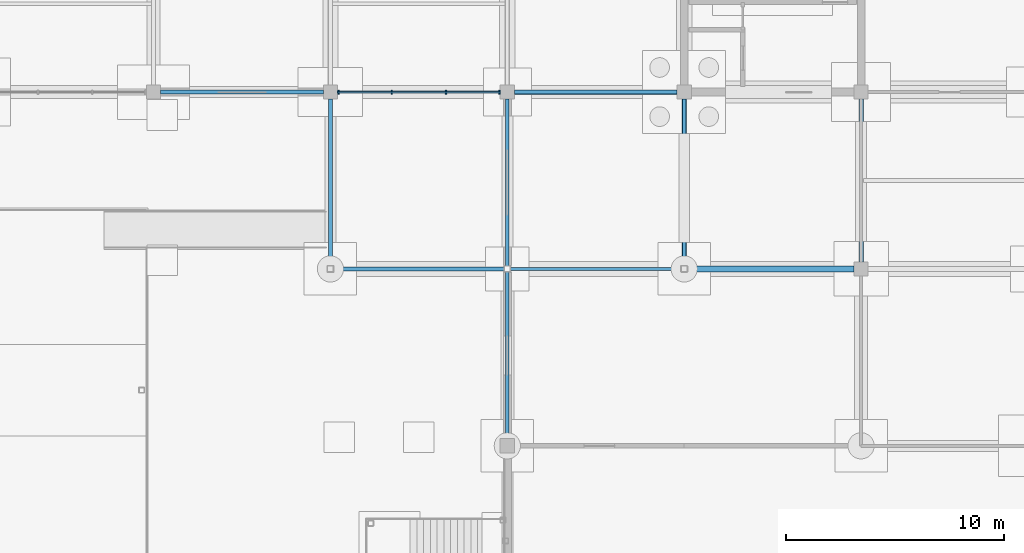
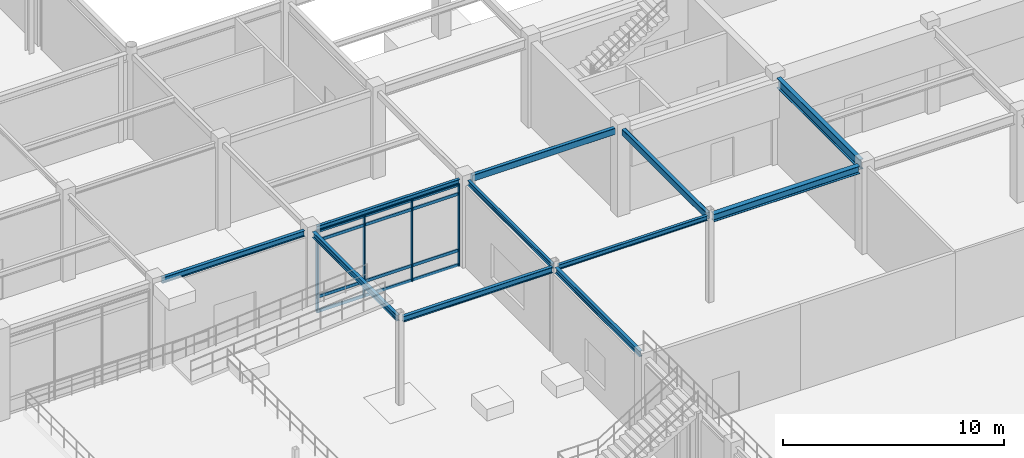
# One storey, part 36 of 67: 11 beams, 8 members, 1 element without a shape of its own.
"""IFC4 building model written with IfcOpenShell, lengths in metres."""

from ifc_helpers import new_model, si_unit, direction, frame, origin, origin_2d, place, context, subcontext, project, spatial, rectangle, hollow_rectangle, i_section, extrude, material, layer, layer_set, material_profile, profile_set, type_object, element, aggregate, save


model = new_model("IFC4")

# Units and contexts
model_context = context("Model", 3, precision=1e-05, world=origin(), true_north=direction((0.0, 1.0)))
body_context = subcontext(model_context, "Body", "Model", "MODEL_VIEW")
ifc_project = project(units=[si_unit("LENGTHUNIT", "METRE"), si_unit("AREAUNIT", "SQUARE_METRE"), si_unit("VOLUMEUNIT", "CUBIC_METRE"), si_unit("PLANEANGLEUNIT", "RADIAN"), si_unit("MASSUNIT", "GRAM", prefix="KILO")], contexts=[model_context])

# Site, building, storey
site_placement = place(None, origin())
site = spatial("IfcSite", under=ifc_project, at=site_placement, CompositionType="ELEMENT")
building_placement = place(site_placement, origin())
building = spatial("IfcBuilding", under=site, at=building_placement, Name="Vaudrelin Polytechnic", CompositionType="ELEMENT")
storey_placement = place(building_placement, frame((0.0, 0.0, -5.10009765625)))
storey = spatial("IfcBuildingStorey", under=building, at=storey_placement, Name="B1", CompositionType="ELEMENT", Elevation=-5.10009765625)

# Beams
ifc_material_1 = material(Name="Steel CSA G40.21 350WT", Category="steel")
ifc_material_profile_1 = material_profile(ifc_material_1, i_section(OverallWidth=0.260009765625, OverallDepth=0.4150390625, WebThickness=0.010009765625, FlangeThickness=0.016845703125, FilletRadius=0.01611328125, at=origin_2d()), Name="W410x100")
ifc_profile_set_1 = profile_set([ifc_material_profile_1], Name="Steel CSA G40.21 350WT")
beam_type_1 = type_object("IfcBeamType", Name="BM-BM-W410H", PredefinedType="SPANDREL", material=ifc_profile_set_1)
beam_1_placement = place(storey_placement, frame((48.74853515625, 24.300048828125, 4.572509765625), z_axis=(1.0, 0.0, 0.0), x_axis=(0.0, 1.0, 0.0)))
element("IfcBeam", 1, at=beam_1_placement, inside=storey, type_object=beam_type_1, Name="B1 X-beam 7-4", PredefinedType="SPANDREL", context=body_context, shape_type="SweptSolid", body=[
    extrude(i_section(OverallWidth=0.260009765625, OverallDepth=0.4150390625, WebThickness=0.010009765625, FlangeThickness=0.016845703125, FilletRadius=0.01611328125, at=origin_2d()), origin(), (0.0, 0.0, 1.0), 7.63037109375),
])
ifc_material_2 = material(Name="Steel CSA G40.21 350W", Category="steel")
ifc_material_profile_2 = material_profile(ifc_material_2, i_section(OverallWidth=0.214111328125, OverallDepth=0.549072265625, WebThickness=0.0146484375, FlangeThickness=0.023681640625, FilletRadius=0.01904296875, at=origin_2d()), Name="W530x138")
ifc_profile_set_2 = profile_set([ifc_material_profile_2], Name="Steel CSA G40.21 350W")
beam_type_2 = type_object("IfcBeamType", Name="BM-BM-W530H", PredefinedType="BEAM", material=ifc_profile_set_2)
beam_2_placement = place(storey_placement, frame((56.699951171875, 24.610107421875, 4.505615234375), z_axis=(0.0, 1.0, 0.0), x_axis=(-1.0, 0.0, 0.0)))
element("IfcBeam", 2, at=beam_2_placement, inside=storey, type_object=beam_type_2, Name="B1 Y-beam 8-4", PredefinedType="BEAM", context=body_context, shape_type="SweptSolid", body=[
    extrude(i_section(OverallWidth=0.214111328125, OverallDepth=0.549072265625, WebThickness=0.0146484375, FlangeThickness=0.023681640625, FilletRadius=0.01904296875, at=origin_2d()), origin(), (0.0, 0.0, 1.0), 7.47998046875),
])
ifc_material_profile_3 = material_profile(ifc_material_2, i_section(OverallWidth=0.14794921875, OverallDepth=0.26611328125, WebThickness=0.007568359375, FlangeThickness=0.012939453125, FilletRadius=0.012939453125, at=origin_2d()), Name="W250x45")
ifc_profile_set_3 = profile_set([ifc_material_profile_3], Name="Steel CSA G40.21 350W")
beam_type_3 = type_object("IfcBeamType", Name="BM-JS-W250", PredefinedType="JOIST", material=ifc_profile_set_3)
beam_3_placement = place(storey_placement, frame((40.5, 24.4375, 4.647216796875), z_axis=(0.0, 1.0, 0.0), x_axis=(-1.0, 0.0, 0.0)))
element("IfcBeam", 3, at=beam_3_placement, inside=storey, type_object=beam_type_3, Name="B1 Y-beam 6-4", PredefinedType="JOIST", context=body_context, shape_type="SweptSolid", body=[
    extrude(i_section(OverallWidth=0.14794921875, OverallDepth=0.26611328125, WebThickness=0.007568359375, FlangeThickness=0.012939453125, FilletRadius=0.012939453125, at=origin_2d()), origin(), (0.0, 0.0, 1.0), 7.652587890625),
])
beam_4_placement = place(storey_placement, frame((32.720947265625, 32.39990234375, 4.647216796875), z_axis=(1.0, 0.0, 0.0), x_axis=(0.0, 1.0, 0.0)))
element("IfcBeam", 4, at=beam_4_placement, inside=storey, type_object=beam_type_3, Name="B1 X-beam 5-5", PredefinedType="JOIST", context=body_context, shape_type="SweptSolid", body=[
    extrude(i_section(OverallWidth=0.14794921875, OverallDepth=0.26611328125, WebThickness=0.007568359375, FlangeThickness=0.012939453125, FilletRadius=0.012939453125, at=origin_2d()), origin(), (0.0, 0.0, 1.0), 7.4580078125),
])
beam_5_placement = place(storey_placement, frame((40.6484375, 24.300048828125, 4.647216796875), z_axis=(1.0, 0.0, 0.0), x_axis=(0.0, 1.0, 0.0)))
element("IfcBeam", 5, at=beam_5_placement, inside=storey, type_object=beam_type_3, Name="B1 X-beam 6-4", PredefinedType="JOIST", context=body_context, shape_type="SweptSolid", body=[
    extrude(i_section(OverallWidth=0.14794921875, OverallDepth=0.26611328125, WebThickness=0.007568359375, FlangeThickness=0.012939453125, FilletRadius=0.012939453125, at=origin_2d()), origin(), (0.0, 0.0, 1.0), 7.802978515625),
])
ifc_material_profile_4 = material_profile(ifc_material_2, i_section(OverallWidth=0.1669921875, OverallDepth=0.31689453125, WebThickness=0.007568359375, FlangeThickness=0.01318359375, FilletRadius=0.013916015625, at=origin_2d()), Name="W310x52")
ifc_profile_set_4 = profile_set([ifc_material_profile_4], Name="Steel CSA G40.21 350W")
beam_type_4 = type_object("IfcBeamType", Name="BM-JS-W310", PredefinedType="JOIST", material=ifc_profile_set_4)
for number, where, z_axis, x_axis, name in (
    (6, (32.39990234375, 24.4375, 4.62158203125), (0.0, 1.0, 0.0), (-1.0, 0.0, 0.0), "B1 Y-beam 5-4"),
    (7, (40.5, 16.510009765625, 4.62158203125), (0.0, 1.0, 0.0), (-1.0, 0.0, 0.0), "B1 Y-beam 6-3"),
):
    element("IfcBeam", number, at=place(storey_placement, frame(where, z_axis=z_axis, x_axis=x_axis)), inside=storey, type_object=beam_type_4, Name=name, PredefinedType="JOIST", context=body_context, shape_type="SweptSolid", body=[
        extrude(i_section(OverallWidth=0.1669921875, OverallDepth=0.31689453125, WebThickness=0.007568359375, FlangeThickness=0.01318359375, FilletRadius=0.013916015625, at=origin_2d()), origin(), (0.0, 0.0, 1.0), 7.652587890625),
    ])
beam_6_placement = place(storey_placement, frame((24.62109375, 32.39990234375, 4.62158203125), z_axis=(1.0, 0.0, 0.0), x_axis=(0.0, 1.0, 0.0)))
element("IfcBeam", 8, at=beam_6_placement, inside=storey, type_object=beam_type_4, Name="B1 X-beam 4-5", PredefinedType="JOIST", context=body_context, shape_type="SweptSolid", body=[
    extrude(i_section(OverallWidth=0.1669921875, OverallDepth=0.31689453125, WebThickness=0.007568359375, FlangeThickness=0.01318359375, FilletRadius=0.013916015625, at=origin_2d()), origin(), (0.0, 0.0, 1.0), 7.4580078125),
])
beam_7_placement = place(storey_placement, frame((32.548583984375, 24.300048828125, 4.62158203125), z_axis=(1.0, 0.0, 0.0), x_axis=(0.0, 1.0, 0.0)))
element("IfcBeam", 9, at=beam_7_placement, inside=storey, type_object=beam_type_4, Name="B1 X-beam 5-4", PredefinedType="JOIST", context=body_context, shape_type="SweptSolid", body=[
    extrude(i_section(OverallWidth=0.1669921875, OverallDepth=0.31689453125, WebThickness=0.007568359375, FlangeThickness=0.01318359375, FilletRadius=0.013916015625, at=origin_2d()), origin(), (0.0, 0.0, 1.0), 7.802978515625),
])
ifc_material_profile_5 = material_profile(ifc_material_1, hollow_rectangle(XDim=0.202880859375, YDim=0.35595703125, WallThickness=0.0126953125, InnerFilletRadius=0.0126953125, OuterFilletRadius=0.025390625, at=origin_2d()), Name="HSS356x203x12.7")
ifc_profile_set_5 = profile_set([ifc_material_profile_5], Name="Steel CSA G40.21 350WT")
beam_type_5 = type_object("IfcBeamType", Name="BM-SP-HSS35", PredefinedType="SPANDREL", material=ifc_profile_set_5)
beam_8_placement = place(storey_placement, frame((48.60009765625, 24.4375, 4.60205078125), z_axis=(0.0, 1.0, 0.0), x_axis=(-1.0, 0.0, 0.0)))
element("IfcBeam", 10, at=beam_8_placement, inside=storey, type_object=beam_type_5, Name="B1 Y-beam 7-4", PredefinedType="SPANDREL", context=body_context, shape_type="SweptSolid", body=[
    extrude(hollow_rectangle(XDim=0.202880859375, YDim=0.35595703125, WallThickness=0.0126953125, InnerFilletRadius=0.0126953125, OuterFilletRadius=0.025390625, at=origin_2d()), origin(), (0.0, 0.0, 1.0), 7.652587890625),
])
beam_9_placement = place(storey_placement, frame((40.821044921875, 32.39990234375, 4.60205078125), z_axis=(1.0, 0.0, 0.0), x_axis=(0.0, 1.0, 0.0)))
element("IfcBeam", 11, at=beam_9_placement, inside=storey, type_object=beam_type_5, Name="B1 X-beam 6-5", PredefinedType="SPANDREL", context=body_context, shape_type="SweptSolid", body=[
    extrude(hollow_rectangle(XDim=0.202880859375, YDim=0.35595703125, WallThickness=0.0126953125, InnerFilletRadius=0.0126953125, OuterFilletRadius=0.025390625, at=origin_2d()), origin(), (0.0, 0.0, 1.0), 7.4580078125),
])

# Curtain wall, members
ifc_material_3 = material(Name="Thermally broken anodised aluminium AA 6063-T6 and low-e triple glazing", Category="aluminium")
ifc_layer = layer(ifc_material_3, 0.199951171875)
ifc_layer_set = layer_set([ifc_layer], Name="Thermally broken anodised aluminium AA 6063-T6 and low-e triple glazing")
curtain_wall_type = type_object("IfcCurtainWallType", Name="CW-CW-POR", PredefinedType="USERDEFINED", material=ifc_layer_set)
curtain_wall_placement = place(storey_placement, origin())
curtain_wall = element("IfcCurtainWall", 12, at=curtain_wall_placement, inside=storey, type_object=curtain_wall_type, Name="Curtain wall B1 FC_N_04", ObjectType="CURTAIN WALL", PredefinedType="USERDEFINED")
ifc_material_4 = material(Name="Anodised aluminium AA 6063-T6", Category="aluminium")
ifc_material_profile_6 = material_profile(ifc_material_4, rectangle(XDim=0.06494140625, YDim=0.179931640625, at=origin_2d()), Name="CWM-65x180")
ifc_profile_set_6 = profile_set([ifc_material_profile_6], Name="Anodised aluminium AA 6063-T6")
member_type_1 = type_object("IfcMemberType", Name="MEM-CWM-180", PredefinedType="MULLION", material=ifc_profile_set_6)
member_1_placement = place(storey_placement, frame((32.762939453125, 32.39990234375, 0.0), z_axis=(0.0, 0.0, 1.0), x_axis=(1.0, 0.0, 0.0)))
member_1 = element("IfcMember", 13, at=member_1_placement, type_object=member_type_1, Name="FC_N_04 mullion 1", PredefinedType="MULLION", context=body_context, shape_type="SweptSolid", body=[
    extrude(rectangle(XDim=0.06494140625, YDim=0.179931640625, at=origin_2d()), origin(), (0.0, 0.0, 1.0), 4.51611328125),
])
member_2_placement = place(storey_placement, frame((35.207763671875, 32.39990234375, 0.0), z_axis=(0.0, 0.0, 1.0), x_axis=(1.0, 0.0, 0.0)))
member_2 = element("IfcMember", 14, at=member_2_placement, type_object=member_type_1, Name="FC_N_04 mullion 2", PredefinedType="MULLION", context=body_context, shape_type="SweptSolid", body=[
    extrude(rectangle(XDim=0.06494140625, YDim=0.179931640625, at=origin_2d()), origin(), (0.0, 0.0, 1.0), 4.51611328125),
])
member_3_placement = place(storey_placement, frame((37.6923828125, 32.39990234375, 0.0), z_axis=(0.0, 0.0, 1.0), x_axis=(1.0, 0.0, 0.0)))
member_3 = element("IfcMember", 15, at=member_3_placement, type_object=member_type_1, Name="FC_N_04 mullion 3", PredefinedType="MULLION", context=body_context, shape_type="SweptSolid", body=[
    extrude(rectangle(XDim=0.06494140625, YDim=0.179931640625, at=origin_2d()), origin(), (0.0, 0.0, 1.0), 4.51611328125),
])
member_4_placement = place(storey_placement, frame((40.136962890625, 32.39990234375, 0.0), z_axis=(0.0, 0.0, 1.0), x_axis=(1.0, 0.0, 0.0)))
member_4 = element("IfcMember", 16, at=member_4_placement, type_object=member_type_1, Name="FC_N_04 mullion 4", PredefinedType="MULLION", context=body_context, shape_type="SweptSolid", body=[
    extrude(rectangle(XDim=0.06494140625, YDim=0.179931640625, at=origin_2d()), origin(), (0.0, 0.0, 1.0), 4.51611328125),
])
ifc_material_profile_7 = material_profile(ifc_material_4, rectangle(XDim=0.074951171875, YDim=0.1650390625, at=origin_2d()), Name="CWT-75x165")
ifc_profile_set_7 = profile_set([ifc_material_profile_7], Name="Anodised aluminium AA 6063-T6")
member_type_2 = type_object("IfcMemberType", Name="MEM-CWT-165", PredefinedType="USERDEFINED", material=ifc_profile_set_7)
member_5_placement = place(storey_placement, frame((32.722900390625, 32.39990234375, 0.050048828125), z_axis=(1.0, 0.0, 0.0), x_axis=(0.0, 1.0, 0.0)))
member_5 = element("IfcMember", 17, at=member_5_placement, type_object=member_type_2, Name="FC_N_04 transom 1", ObjectType="TRANSOM", PredefinedType="USERDEFINED", context=body_context, shape_type="SweptSolid", body=[
    extrude(rectangle(XDim=0.074951171875, YDim=0.1650390625, at=origin_2d()), origin(), (0.0, 0.0, 1.0), 7.4541015625),
])
member_6_placement = place(storey_placement, frame((32.722900390625, 32.39990234375, 0.85009765625), z_axis=(1.0, 0.0, 0.0), x_axis=(0.0, 1.0, 0.0)))
member_6 = element("IfcMember", 18, at=member_6_placement, type_object=member_type_2, Name="FC_N_04 transom 2", ObjectType="TRANSOM", PredefinedType="USERDEFINED", context=body_context, shape_type="SweptSolid", body=[
    extrude(rectangle(XDim=0.074951171875, YDim=0.1650390625, at=origin_2d()), origin(), (0.0, 0.0, 1.0), 7.4541015625),
])
member_7_placement = place(storey_placement, frame((32.722900390625, 32.39990234375, 3.966064453125), z_axis=(1.0, 0.0, 0.0), x_axis=(0.0, 1.0, 0.0)))
member_7 = element("IfcMember", 19, at=member_7_placement, type_object=member_type_2, Name="FC_N_04 transom 3", ObjectType="TRANSOM", PredefinedType="USERDEFINED", context=body_context, shape_type="SweptSolid", body=[
    extrude(rectangle(XDim=0.074951171875, YDim=0.1650390625, at=origin_2d()), origin(), (0.0, 0.0, 1.0), 7.4541015625),
])
member_8_placement = place(storey_placement, frame((32.722900390625, 32.39990234375, 4.466064453125), z_axis=(1.0, 0.0, 0.0), x_axis=(0.0, 1.0, 0.0)))
member_8 = element("IfcMember", 20, at=member_8_placement, type_object=member_type_2, Name="FC_N_04 transom 4", ObjectType="TRANSOM", PredefinedType="USERDEFINED", context=body_context, shape_type="SweptSolid", body=[
    extrude(rectangle(XDim=0.074951171875, YDim=0.1650390625, at=origin_2d()), origin(), (0.0, 0.0, 1.0), 7.4541015625),
])
aggregate(curtain_wall, [member_1, member_2, member_3, member_4, member_5, member_6, member_7, member_8])

save(model, "model.ifc")
